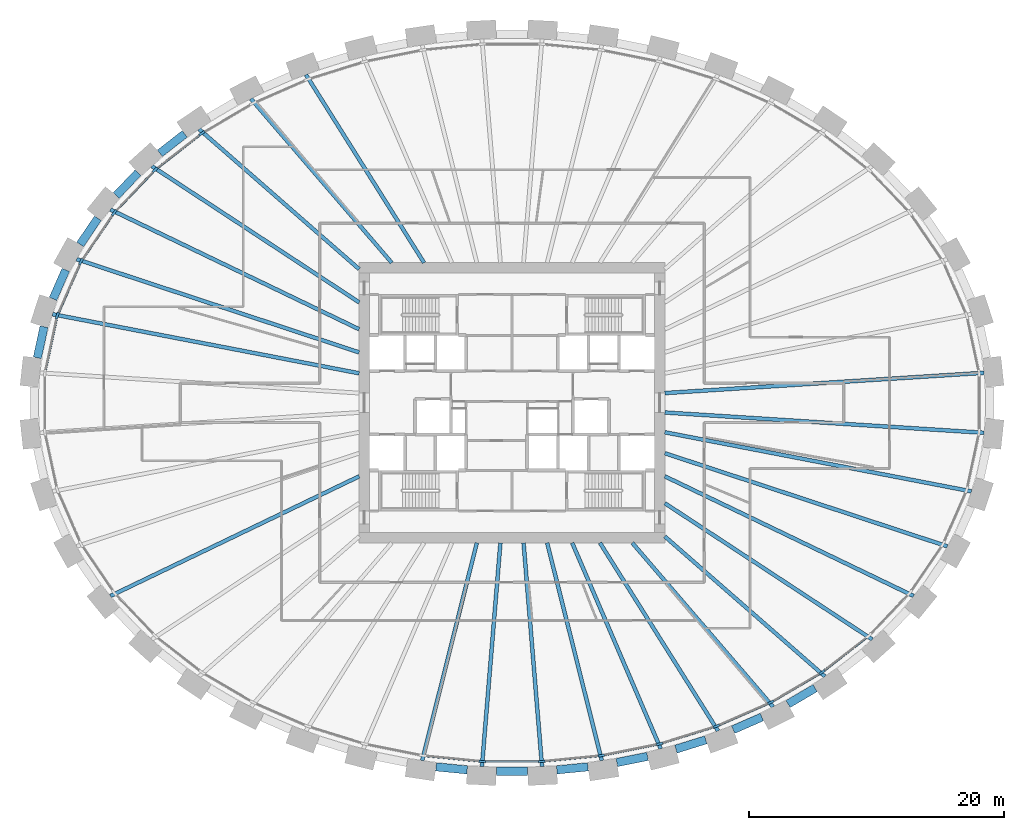
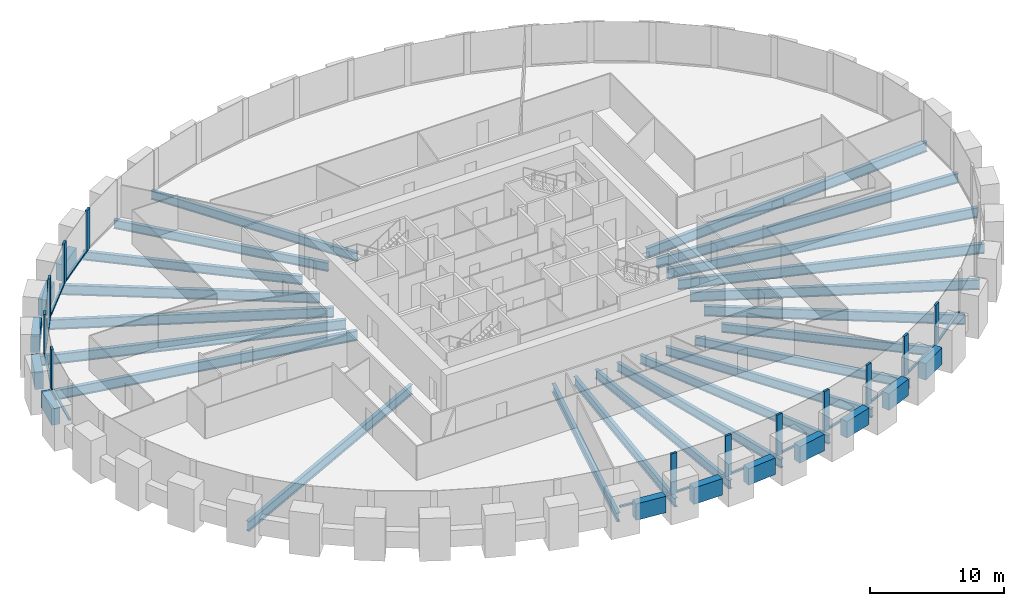
# One storey, part 2 of 10: 34 beams, 25 members, 1 element without a shape of its own.
"""IFC4 building model written with IfcOpenShell, lengths in metres."""

from ifc_helpers import new_model, si_unit, direction, frame, origin, origin_2d, place, context, subcontext, project, spatial, rectangle, i_section, extrude, source, transform, mapped, material, material_profile, profile_set, type_object, element, aggregate, save


model = new_model("IFC4")

# Units and contexts
model_context = context("Model", 3, precision=1e-05, world=origin(), true_north=direction((0.0, 1.0)))
body_context = subcontext(model_context, "Body", "Model", "MODEL_VIEW")
ifc_project = project(units=[si_unit("LENGTHUNIT", "METRE"), si_unit("AREAUNIT", "SQUARE_METRE"), si_unit("VOLUMEUNIT", "CUBIC_METRE"), si_unit("PLANEANGLEUNIT", "RADIAN"), si_unit("MASSUNIT", "GRAM", prefix="KILO")], contexts=[model_context])

# Site, building, storey
site_placement = place(None, origin())
site = spatial("IfcSite", under=ifc_project, at=site_placement, CompositionType="ELEMENT")
building_placement = place(site_placement, origin())
building = spatial("IfcBuilding", under=site, at=building_placement, Name="Embergate Tower", CompositionType="ELEMENT")
storey_placement = place(building_placement, frame((0.0, 0.0, 152.10009765625)))
storey = spatial("IfcBuildingStorey", under=building, at=storey_placement, Name="L33", CompositionType="ELEMENT", Elevation=152.10009765625)

# Beams
ifc_material_1 = material(Name="Concrete C70", Category="concrete")
ifc_material_profile_1 = material_profile(ifc_material_1, rectangle(XDim=0.64990234375, YDim=1.5, at=origin_2d()), Name="RC 650x1500")
ifc_profile_set_1 = profile_set([ifc_material_profile_1], Name="Concrete C70")
beam_type_1 = type_object("IfcBeamType", Name="Spandrel beam RC 650x1500 C70", PredefinedType="BEAM", material=ifc_profile_set_1)
shared_shape_1 = source(origin(), body_context, "Body", "SweptSolid", [
    extrude(rectangle(XDim=0.64990234375, YDim=1.5, at=origin_2d()), origin(), (0.0, 0.0, 1.0), 2.490966796875),
])
beam_1_placement = place(storey_placement, frame((-36.748046875, 5.968017578125, 0.0), z_axis=(-0.210720345789, -0.977546385534, 0.0), x_axis=(0.977546385534, -0.210720345789, 0.0)))
element("IfcBeam", 1, at=beam_1_placement, inside=storey, type_object=beam_type_1, Name="SPN-L33-20", PredefinedType="BEAM", context=body_context, shape_type="MappedRepresentation", body=[
    mapped(shared_shape_1, transform((0.0, 0.0, 0.0))),
])
shared_shape_2 = source(origin(), body_context, "Body", "SweptSolid", [
    extrude(rectangle(XDim=0.64990234375, YDim=1.5, at=origin_2d()), origin(), (0.0, 0.0, 1.0), 2.48828125),
])
beam_2_placement = place(storey_placement, frame((-35.0419921875, 10.43505859375, 0.0), z_axis=(-0.401472379967, -0.91587113074, 0.0), x_axis=(0.91587113074, -0.401472379967, 0.0)))
element("IfcBeam", 2, at=beam_2_placement, inside=storey, type_object=beam_type_1, Name="SPN-L33-19", PredefinedType="BEAM", context=body_context, shape_type="MappedRepresentation", body=[
    mapped(shared_shape_2, transform((0.0, 0.0, 0.0))),
])
shared_shape_3 = source(origin(), body_context, "Body", "SweptSolid", [
    extrude(rectangle(XDim=0.64990234375, YDim=1.5, at=origin_2d()), origin(), (0.0, 0.0, 1.0), 2.4775390625),
])
beam_3_placement = place(storey_placement, frame((-32.51806640625, 14.486083984375, 0.0), z_axis=(-0.562159078618, -0.827029123022, 0.0), x_axis=(0.827029123022, -0.562159078618, 0.0)))
element("IfcBeam", 3, at=beam_3_placement, inside=storey, type_object=beam_type_1, Name="SPN-L33-18", PredefinedType="BEAM", context=body_context, shape_type="MappedRepresentation", body=[
    mapped(shared_shape_3, transform((0.0, 0.0, 0.0))),
])
shared_shape_4 = source(origin(), body_context, "Body", "SweptSolid", [
    extrude(rectangle(XDim=0.64990234375, YDim=1.5, at=origin_2d()), origin(), (0.0, 0.0, 1.0), 2.473388671875),
])
beam_4_placement = place(storey_placement, frame((-29.364990234375, 18.06494140625, 0.0), z_axis=(-0.69012823406, -0.723687101276, 0.0), x_axis=(0.723687101276, -0.69012823406, 0.0)))
element("IfcBeam", 4, at=beam_4_placement, inside=storey, type_object=beam_type_1, Name="SPN-L33-17", PredefinedType="BEAM", context=body_context, shape_type="MappedRepresentation", body=[
    mapped(shared_shape_4, transform((0.0, 0.0, 0.0))),
])
shared_shape_5 = source(origin(), body_context, "Body", "SweptSolid", [
    extrude(rectangle(XDim=0.64990234375, YDim=1.5, at=origin_2d()), origin(), (0.0, 0.0, 1.0), 2.466552734375),
])
beam_5_placement = place(storey_placement, frame((-25.702880859375, 21.112060546875, 0.0), z_axis=(-0.788172909908, -0.615453868367, 0.0), x_axis=(0.615453868367, -0.788172909908, 0.0)))
element("IfcBeam", 5, at=beam_5_placement, inside=storey, type_object=beam_type_1, Name="SPN-L33-16", PredefinedType="BEAM", context=body_context, shape_type="MappedRepresentation", body=[
    mapped(shared_shape_5, transform((0.0, 0.0, 0.0))),
])
shared_shape_6 = source(origin(), body_context, "Body", "SweptSolid", [
    extrude(rectangle(XDim=0.64990234375, YDim=1.5, at=origin_2d()), origin(), (0.0, 0.0, 1.0), 2.46142578125),
])
beam_6_placement = place(storey_placement, frame((21.678955078125, -23.652099609375, 0.0), z_axis=(0.86214832468, 0.506655964389, 0.0), x_axis=(-0.506655964389, 0.86214832468, 0.0)))
element("IfcBeam", 6, at=beam_6_placement, inside=storey, type_object=beam_type_1, Name="SPN-L33-37", PredefinedType="BEAM", context=body_context, shape_type="MappedRepresentation", body=[
    mapped(shared_shape_6, transform((0.0, 0.0, 0.0))),
])
shared_shape_7 = source(origin(), body_context, "Body", "SweptSolid", [
    extrude(rectangle(XDim=0.64990234375, YDim=1.5, at=origin_2d()), origin(), (0.0, 0.0, 1.0), 2.456787109375),
])
beam_7_placement = place(storey_placement, frame((17.3701171875, -25.6640625, 0.0), z_axis=(0.916257660854, 0.40058943936, 0.0), x_axis=(-0.40058943936, 0.916257660854, 0.0)))
element("IfcBeam", 7, at=beam_7_placement, inside=storey, type_object=beam_type_1, Name="SPN-L33-36", PredefinedType="BEAM", context=body_context, shape_type="MappedRepresentation", body=[
    mapped(shared_shape_7, transform((0.0, 0.0, 0.0))),
])
shared_shape_8 = source(origin(), body_context, "Body", "SweptSolid", [
    extrude(rectangle(XDim=0.64990234375, YDim=1.5, at=origin_2d()), origin(), (0.0, 0.0, 1.0), 2.4541015625),
])
beam_8_placement = place(storey_placement, frame((12.8720703125, -27.197998046875, 0.0), z_axis=(0.954736297307, 0.29745353016, 0.0), x_axis=(-0.29745353016, 0.954736297307, 0.0)))
element("IfcBeam", 8, at=beam_8_placement, inside=storey, type_object=beam_type_1, Name="SPN-L33-35", PredefinedType="BEAM", context=body_context, shape_type="MappedRepresentation", body=[
    mapped(shared_shape_8, transform((0.0, 0.0, 0.0))),
])
shared_shape_9 = source(origin(), body_context, "Body", "SweptSolid", [
    extrude(rectangle(XDim=0.64990234375, YDim=1.5, at=origin_2d()), origin(), (0.0, 0.0, 1.0), 2.453125),
])
beam_9_placement = place(storey_placement, frame((8.238037109375, -28.2490234375, 0.0), z_axis=(0.980431102511, 0.196862523679, 0.0), x_axis=(-0.196862523679, 0.980431102511, 0.0)))
element("IfcBeam", 9, at=beam_9_placement, inside=storey, type_object=beam_type_1, Name="SPN-L33-34", PredefinedType="BEAM", context=body_context, shape_type="MappedRepresentation", body=[
    mapped(shared_shape_9, transform((0.0, 0.0, 0.0))),
])
shared_shape_10 = source(origin(), body_context, "Body", "SweptSolid", [
    extrude(rectangle(XDim=0.64990234375, YDim=1.5, at=origin_2d()), origin(), (0.0, 0.0, 1.0), 2.45166015625),
])
for number, where, z_axis, x_axis, name in (
    (10, (-5.962890625, -28.587890625, 0.0), (0.995197569904, -0.097886653113, 0.0), (0.097886653113, 0.995197569904, 0.0), "SPN-L33-31"),
    (11, (3.52294921875, -28.827880859375, 0.0), (0.995197569904, 0.097886653113, 0.0), (-0.097886653113, 0.995197569904, 0.0), "SPN-L33-33"),
):
    element("IfcBeam", number, at=place(storey_placement, frame(where, z_axis=z_axis, x_axis=x_axis)), inside=storey, type_object=beam_type_1, Name=name, PredefinedType="BEAM", context=body_context, shape_type="MappedRepresentation", body=[
        mapped(shared_shape_10, transform((0.0, 0.0, 0.0))),
    ])
shared_shape_11 = source(origin(), body_context, "Body", "SweptSolid", [
    extrude(rectangle(XDim=0.64990234375, YDim=1.5, at=origin_2d()), origin(), (0.0, 0.0, 1.0), 2.4521484375),
])
beam_10_placement = place(storey_placement, frame((-1.22607421875, -28.94091796875, 0.0), z_axis=(1.0, 0.0, 0.0), x_axis=(0.0, 1.0, 0.0)))
element("IfcBeam", 12, at=beam_10_placement, inside=storey, type_object=beam_type_1, Name="SPN-L33-32", PredefinedType="BEAM", context=body_context, shape_type="MappedRepresentation", body=[
    mapped(shared_shape_11, transform((0.0, 0.0, 0.0))),
])
ifc_material_2 = material(Name="Steel Q355B", Category="steel")
ifc_material_profile_2 = material_profile(ifc_material_2, i_section(OverallWidth=0.300048828125, OverallDepth=0.89990234375, WebThickness=0.01611328125, FlangeThickness=0.028076171875, FilletRadius=0.028076171875, at=origin_2d()), Name="HN 900x300x16x28")
ifc_profile_set_2 = profile_set([ifc_material_profile_2], Name="Steel Q355 grade B")
beam_type_2 = type_object("IfcBeamType", Name="Radial girder HN 900x300x16x28", PredefinedType="BEAM", material=ifc_profile_set_2)
shared_shape_12 = source(origin(), body_context, "Body", "SweptSolid", [
    extrude(i_section(OverallWidth=0.300048828125, OverallDepth=0.89990234375, WebThickness=0.01611328125, FlangeThickness=0.028076171875, FilletRadius=0.028076171875, at=origin_2d()), origin(), (0.0, 0.0, 1.0), 25.12158203125),
])
for number, where, z_axis, x_axis, name in (
    (13, (37.071044921875, 2.35498046875, -0.650146484375), (-0.9979874177, -0.063412255217, 0.0), (0.063412255217, -0.9979874177, 0.0), "GIR-L33-00"),
    (14, (37.071044921875, -2.35498046875, -0.650146484375), (-0.9979874177, 0.063412255217, 0.0), (-0.063412255217, -0.9979874177, 0.0), "GIR-L33-43"),
):
    element("IfcBeam", number, at=place(storey_placement, frame(where, z_axis=z_axis, x_axis=x_axis)), inside=storey, type_object=beam_type_2, Name=name, PredefinedType="BEAM", context=body_context, shape_type="MappedRepresentation", body=[
        mapped(shared_shape_12, transform((0.0, 0.0, 0.0))),
    ])
shared_shape_13 = source(origin(), body_context, "Body", "SweptSolid", [
    extrude(i_section(OverallWidth=0.300048828125, OverallDepth=0.89990234375, WebThickness=0.01611328125, FlangeThickness=0.028076171875, FilletRadius=0.028076171875, at=origin_2d()), origin(), (0.0, 0.0, 1.0), 24.52392578125),
])
for number, where, z_axis, x_axis, name in (
    (15, (-36.080078125, 6.958984375, -0.650146484375), (0.981906046022, -0.189368732333, 0.0), (0.189368732333, 0.981906046022, 0.0), "GIR-L33-20"),
    (16, (36.080078125, -6.958984375, -0.650146484375), (-0.981906046022, 0.189368732333, 0.0), (-0.189368732333, -0.981906046022, 0.0), "GIR-L33-42"),
):
    element("IfcBeam", number, at=place(storey_placement, frame(where, z_axis=z_axis, x_axis=x_axis)), inside=storey, type_object=beam_type_2, Name=name, PredefinedType="BEAM", context=body_context, shape_type="MappedRepresentation", body=[
        mapped(shared_shape_13, transform((0.0, 0.0, 0.0))),
    ])
shared_shape_14 = source(origin(), body_context, "Body", "SweptSolid", [
    extrude(i_section(OverallWidth=0.300048828125, OverallDepth=0.89990234375, WebThickness=0.01611328125, FlangeThickness=0.028076171875, FilletRadius=0.028076171875, at=origin_2d()), origin(), (0.0, 0.0, 1.0), 23.36328125),
])
for number, where, z_axis, x_axis, name in (
    (17, (-34.18798828125, 11.27490234375, -0.650146484375), (0.949694119995, -0.313178987877, 0.0), (0.313178987877, 0.949694119995, 0.0), "GIR-L33-19"),
    (18, (34.18798828125, -11.27490234375, -0.650146484375), (-0.949694119995, 0.313178987877, 0.0), (-0.313178987877, -0.949694119995, 0.0), "GIR-L33-41"),
):
    element("IfcBeam", number, at=place(storey_placement, frame(where, z_axis=z_axis, x_axis=x_axis)), inside=storey, type_object=beam_type_2, Name=name, PredefinedType="BEAM", context=body_context, shape_type="MappedRepresentation", body=[
        mapped(shared_shape_14, transform((0.0, 0.0, 0.0))),
    ])
shared_shape_15 = source(origin(), body_context, "Body", "SweptSolid", [
    extrude(i_section(OverallWidth=0.300048828125, OverallDepth=0.89990234375, WebThickness=0.01611328125, FlangeThickness=0.028076171875, FilletRadius=0.028076171875, at=origin_2d()), origin(), (0.0, 0.0, 1.0), 21.680419921875),
])
for number, where, z_axis, x_axis, name in (
    (19, (-31.537109375, 15.172119140625, -0.650146484375), (0.90113839793, -0.433531530315, 0.0), (0.433531530315, 0.90113839793, 0.0), "GIR-L33-18"),
    (20, (-31.537109375, -15.172119140625, -0.650146484375), (0.90113839793, 0.433531530315, 0.0), (-0.433531530315, 0.90113839793, 0.0), "GIR-L33-25"),
    (21, (31.537109375, -15.172119140625, -0.650146484375), (-0.90113839793, 0.433531530315, 0.0), (-0.433531530315, -0.90113839793, 0.0), "GIR-L33-40"),
):
    element("IfcBeam", number, at=place(storey_placement, frame(where, z_axis=z_axis, x_axis=x_axis)), inside=storey, type_object=beam_type_2, Name=name, PredefinedType="BEAM", context=body_context, shape_type="MappedRepresentation", body=[
        mapped(shared_shape_15, transform((0.0, 0.0, 0.0))),
    ])
shared_shape_16 = source(origin(), body_context, "Body", "SweptSolid", [
    extrude(i_section(OverallWidth=0.300048828125, OverallDepth=0.89990234375, WebThickness=0.01611328125, FlangeThickness=0.028076171875, FilletRadius=0.028076171875, at=origin_2d()), origin(), (0.0, 0.0, 1.0), 19.484130859375),
])
for number, where, z_axis, x_axis, name in (
    (22, (-28.283935546875, 18.5830078125, -0.650146484375), (0.835750168369, -0.549109876137, 0.0), (0.549109876137, 0.835750168369, 0.0), "GIR-L33-17"),
    (23, (28.283935546875, -18.5830078125, -0.650146484375), (-0.835750168369, 0.549109876137, 0.0), (-0.549109876137, -0.835750168369, 0.0), "GIR-L33-39"),
):
    element("IfcBeam", number, at=place(storey_placement, frame(where, z_axis=z_axis, x_axis=x_axis)), inside=storey, type_object=beam_type_2, Name=name, PredefinedType="BEAM", context=body_context, shape_type="MappedRepresentation", body=[
        mapped(shared_shape_16, transform((0.0, 0.0, 0.0))),
    ])
ifc_material_profile_3 = material_profile(ifc_material_2, i_section(OverallWidth=0.300048828125, OverallDepth=0.800048828125, WebThickness=0.013916015625, FlangeThickness=0.02587890625, FilletRadius=0.028076171875, at=origin_2d()), Name="HN 800x300x14x26")
ifc_profile_set_3 = profile_set([ifc_material_profile_3], Name="Steel Q355 grade B")
beam_type_3 = type_object("IfcBeamType", Name="Radial girder HN 800x300x14x26", PredefinedType="BEAM", material=ifc_profile_set_3)
shared_shape_17 = source(origin(), body_context, "Body", "SweptSolid", [
    extrude(i_section(OverallWidth=0.300048828125, OverallDepth=0.800048828125, WebThickness=0.013916015625, FlangeThickness=0.02587890625, FilletRadius=0.028076171875, at=origin_2d()), origin(), (0.0, 0.0, 1.0), 16.6953125),
])
for number, where, z_axis, x_axis, name in (
    (24, (-24.56689453125, 21.485107421875, -0.60009765625), (0.752719804108, -0.658341018397, 0.0), (0.658341018397, 0.752719804108, 0.0), "GIR-L33-16"),
    (25, (24.56689453125, -21.485107421875, -0.60009765625), (-0.752719804108, 0.658341018397, 0.0), (-0.658341018397, -0.752719804108, 0.0), "GIR-L33-38"),
):
    element("IfcBeam", number, at=place(storey_placement, frame(where, z_axis=z_axis, x_axis=x_axis)), inside=storey, type_object=beam_type_3, Name=name, PredefinedType="BEAM", context=body_context, shape_type="MappedRepresentation", body=[
        mapped(shared_shape_17, transform((0.0, 0.0, 0.0))),
    ])
shared_shape_18 = source(origin(), body_context, "Body", "SweptSolid", [
    extrude(i_section(OverallWidth=0.300048828125, OverallDepth=0.800048828125, WebThickness=0.013916015625, FlangeThickness=0.02587890625, FilletRadius=0.028076171875, at=origin_2d()), origin(), (0.0, 0.0, 1.0), 16.970458984375),
])
for number, where, z_axis, x_axis, name in (
    (26, (-20.501953125, 23.875, -0.60009765625), (0.651477073616, -0.758668321833, 0.0), (0.758668321833, 0.651477073616, 0.0), "GIR-L33-15"),
    (27, (20.501953125, -23.875, -0.60009765625), (-0.651477073616, 0.758668321833, 0.0), (-0.758668321833, -0.651477073616, 0.0), "GIR-L33-37"),
):
    element("IfcBeam", number, at=place(storey_placement, frame(where, z_axis=z_axis, x_axis=x_axis)), inside=storey, type_object=beam_type_3, Name=name, PredefinedType="BEAM", context=body_context, shape_type="MappedRepresentation", body=[
        mapped(shared_shape_18, transform((0.0, 0.0, 0.0))),
    ])
shared_shape_19 = source(origin(), body_context, "Body", "SweptSolid", [
    extrude(i_section(OverallWidth=0.300048828125, OverallDepth=0.800048828125, WebThickness=0.013916015625, FlangeThickness=0.02587890625, FilletRadius=0.028076171875, at=origin_2d()), origin(), (0.0, 0.0, 1.0), 17.433837890625),
])
for number, where, z_axis, x_axis, name in (
    (28, (-16.179931640625, 25.763916015625, -0.60009765625), (0.531834233156, -0.846848480216, 0.0), (0.846848480216, 0.531834233156, 0.0), "GIR-L33-14"),
    (29, (16.179931640625, -25.763916015625, -0.60009765625), (-0.531834233156, 0.846848480216, 0.0), (-0.846848480216, -0.531834233156, 0.0), "GIR-L33-36"),
):
    element("IfcBeam", number, at=place(storey_placement, frame(where, z_axis=z_axis, x_axis=x_axis)), inside=storey, type_object=beam_type_3, Name=name, PredefinedType="BEAM", context=body_context, shape_type="MappedRepresentation", body=[
        mapped(shared_shape_19, transform((0.0, 0.0, 0.0))),
    ])
shared_shape_20 = source(origin(), body_context, "Body", "SweptSolid", [
    extrude(i_section(OverallWidth=0.300048828125, OverallDepth=0.800048828125, WebThickness=0.013916015625, FlangeThickness=0.02587890625, FilletRadius=0.028076171875, at=origin_2d()), origin(), (0.0, 0.0, 1.0), 17.59619140625),
])
beam_11_placement = place(storey_placement, frame((11.677001953125, -27.166015625, -0.60009765625), z_axis=(-0.394912057755, 0.918718926898, 0.0), x_axis=(-0.918718926898, -0.394912057755, 0.0)))
element("IfcBeam", 30, at=beam_11_placement, inside=storey, type_object=beam_type_3, Name="GIR-L33-35", PredefinedType="BEAM", context=body_context, shape_type="MappedRepresentation", body=[
    mapped(shared_shape_20, transform((0.0, 0.0, 0.0))),
])
shared_shape_21 = source(origin(), body_context, "Body", "SweptSolid", [
    extrude(i_section(OverallWidth=0.300048828125, OverallDepth=0.800048828125, WebThickness=0.013916015625, FlangeThickness=0.02587890625, FilletRadius=0.028076171875, at=origin_2d()), origin(), (0.0, 0.0, 1.0), 17.624267578125),
])
for number, where, z_axis, x_axis, name in (
    (31, (-7.052001953125, -28.093994140625, -0.60009765625), (0.24347096124, 0.969908186909, 0.0), (-0.969908186909, 0.24347096124, 0.0), "GIR-L33-31"),
    (32, (7.052001953125, -28.093994140625, -0.60009765625), (-0.24347096124, 0.969908186909, 0.0), (-0.969908186909, -0.24347096124, 0.0), "GIR-L33-34"),
):
    element("IfcBeam", number, at=place(storey_placement, frame(where, z_axis=z_axis, x_axis=x_axis)), inside=storey, type_object=beam_type_3, Name=name, PredefinedType="BEAM", context=body_context, shape_type="MappedRepresentation", body=[
        mapped(shared_shape_21, transform((0.0, 0.0, 0.0))),
    ])
shared_shape_22 = source(origin(), body_context, "Body", "SweptSolid", [
    extrude(i_section(OverallWidth=0.300048828125, OverallDepth=0.800048828125, WebThickness=0.013916015625, FlangeThickness=0.02587890625, FilletRadius=0.028076171875, at=origin_2d()), origin(), (0.0, 0.0, 1.0), 17.61572265625),
])
for number, where, z_axis, x_axis, name in (
    (33, (-2.35888671875, -28.555908203125, -0.60009765625), (0.0823102465, 0.996606754603, 0.0), (-0.996606754603, 0.0823102465, 0.0), "GIR-L33-32"),
    (34, (2.35888671875, -28.555908203125, -0.60009765625), (-0.0823102465, 0.996606754603, 0.0), (-0.996606754603, -0.0823102465, 0.0), "GIR-L33-33"),
):
    element("IfcBeam", number, at=place(storey_placement, frame(where, z_axis=z_axis, x_axis=x_axis)), inside=storey, type_object=beam_type_3, Name=name, PredefinedType="BEAM", context=body_context, shape_type="MappedRepresentation", body=[
        mapped(shared_shape_22, transform((0.0, 0.0, 0.0))),
    ])

# Curtain wall, members
ifc_material_3 = material(Name="Aluminium and glass", Category="aluminium")
curtain_wall_type = type_object("IfcCurtainWallType", Name="Recessed office glazing", PredefinedType="NOTDEFINED", material=ifc_material_3)
curtain_wall_placement = place(storey_placement, origin())
curtain_wall = element("IfcCurtainWall", 35, at=curtain_wall_placement, inside=storey, type_object=curtain_wall_type, Name="Recessed office glazing ring", ObjectType="RECESSED OFFICE GLAZING", PredefinedType="USERDEFINED")
ifc_material_4 = material(Name="Aluminium, thermally broken", Category="aluminium")
ifc_material_profile_4 = material_profile(ifc_material_4, rectangle(XDim=0.179931640625, YDim=0.52001953125, at=origin_2d()), Name="AL 520x180")
ifc_profile_set_4 = profile_set([ifc_material_profile_4], Name="Aluminium, thermally broken")
member_type_1 = type_object("IfcMemberType", Name="Office mullion", PredefinedType="MULLION", material=ifc_profile_set_4)
shared_shape_23 = source(origin(), body_context, "Body", "SweptSolid", [
    extrude(rectangle(XDim=0.179931640625, YDim=0.52001953125, at=origin_2d()), origin(), (0.0, 0.0, 1.0), 3.699951171875),
])
member_1_placement = place(storey_placement, frame((-24.3486328125, 21.161376953125, 0.0), z_axis=(0.0, 0.0, 1.0), x_axis=(0.562217618544, -0.826989328467, 0.0)))
member_1 = element("IfcMember", 36, at=member_1_placement, type_object=member_type_1, Name="CW mullion 17", PredefinedType="MULLION", context=body_context, shape_type="MappedRepresentation", body=[
    mapped(shared_shape_23, transform((0.0, 0.0, 0.0))),
])
member_2_placement = place(storey_placement, frame((-28.023193359375, 18.29345703125, 0.0), z_axis=(0.0, 0.0, 1.0), x_axis=(0.671226533956, -0.741252278319, 0.0)))
member_2 = element("IfcMember", 37, at=member_2_placement, type_object=member_type_1, Name="CW mullion 18", PredefinedType="MULLION", context=body_context, shape_type="MappedRepresentation", body=[
    mapped(shared_shape_23, transform((0.0, 0.0, 0.0))),
])
member_3_placement = place(storey_placement, frame((-31.23486328125, 14.92578125, 0.0), z_axis=(0.0, 0.0, 1.0), x_axis=(0.777872564355, -0.628422050555, 0.0)))
member_3 = element("IfcMember", 38, at=member_3_placement, type_object=member_type_1, Name="CW mullion 19", PredefinedType="MULLION", context=body_context, shape_type="MappedRepresentation", body=[
    mapped(shared_shape_23, transform((0.0, 0.0, 0.0))),
])
member_4_placement = place(storey_placement, frame((-33.846923828125, 11.084716796875, 0.0), z_axis=(0.0, 0.0, 1.0), x_axis=(0.875001895832, -0.484119491748, 0.0)))
member_4 = element("IfcMember", 39, at=member_4_placement, type_object=member_type_1, Name="CW mullion 20", PredefinedType="MULLION", context=body_context, shape_type="MappedRepresentation", body=[
    mapped(shared_shape_23, transform((0.0, 0.0, 0.0))),
])
member_5_placement = place(storey_placement, frame((-35.708984375, 6.8388671875, 0.0), z_axis=(0.0, 0.0, 1.0), x_axis=(0.951498334951, -0.307653894149, 0.0)))
member_5 = element("IfcMember", 40, at=member_5_placement, type_object=member_type_1, Name="CW mullion 21", PredefinedType="MULLION", context=body_context, shape_type="MappedRepresentation", body=[
    mapped(shared_shape_23, transform((0.0, 0.0, 0.0))),
])
member_6_placement = place(storey_placement, frame((-2.33935546875, -28.166015625, 0.0), z_axis=(0.0, 0.0, 1.0), x_axis=(0.048971796621, 0.998800161762, 0.0)))
member_6 = element("IfcMember", 41, at=member_6_placement, type_object=member_type_1, Name="CW mullion 33", PredefinedType="MULLION", context=body_context, shape_type="MappedRepresentation", body=[
    mapped(shared_shape_23, transform((0.0, 0.0, 0.0))),
])
member_7_placement = place(storey_placement, frame((2.33935546875, -28.166015625, 0.0), z_axis=(0.0, 0.0, 1.0), x_axis=(-0.048971796621, 0.998800161762, 0.0)))
member_7 = element("IfcMember", 42, at=member_7_placement, type_object=member_type_1, Name="CW mullion 34", PredefinedType="MULLION", context=body_context, shape_type="MappedRepresentation", body=[
    mapped(shared_shape_23, transform((0.0, 0.0, 0.0))),
])
member_8_placement = place(storey_placement, frame((6.99560546875, -27.708251953125, 0.0), z_axis=(0.0, 0.0, 1.0), x_axis=(-0.147412382818, 0.989075118174, 0.0)))
member_8 = element("IfcMember", 43, at=member_8_placement, type_object=member_type_1, Name="CW mullion 35", PredefinedType="MULLION", context=body_context, shape_type="MappedRepresentation", body=[
    mapped(shared_shape_23, transform((0.0, 0.0, 0.0))),
])
member_9_placement = place(storey_placement, frame((11.581298828125, -26.78857421875, 0.0), z_axis=(0.0, 0.0, 1.0), x_axis=(-0.24731188137, 0.968935928394, 0.0)))
member_9 = element("IfcMember", 44, at=member_9_placement, type_object=member_type_1, Name="CW mullion 36", PredefinedType="MULLION", context=body_context, shape_type="MappedRepresentation", body=[
    mapped(shared_shape_23, transform((0.0, 0.0, 0.0))),
])
member_10_placement = place(storey_placement, frame((16.044921875, -25.3984375, 0.0), z_axis=(0.0, 0.0, 1.0), x_axis=(-0.349502682851, 0.936935363128, 0.0)))
member_10 = element("IfcMember", 45, at=member_10_placement, type_object=member_type_1, Name="CW mullion 37", PredefinedType="MULLION", context=body_context, shape_type="MappedRepresentation", body=[
    mapped(shared_shape_23, transform((0.0, 0.0, 0.0))),
])
member_11_placement = place(storey_placement, frame((20.3251953125, -23.52685546875, 0.0), z_axis=(0.0, 0.0, 1.0), x_axis=(-0.454511380526, 0.890740930334, 0.0)))
member_11 = element("IfcMember", 46, at=member_11_placement, type_object=member_type_1, Name="CW mullion 38", PredefinedType="MULLION", context=body_context, shape_type="MappedRepresentation", body=[
    mapped(shared_shape_23, transform((0.0, 0.0, 0.0))),
])
member_12_placement = place(storey_placement, frame((24.3486328125, -21.161376953125, 0.0), z_axis=(0.0, 0.0, 1.0), x_axis=(-0.562217618544, 0.826989328467, 0.0)))
member_12 = element("IfcMember", 47, at=member_12_placement, type_object=member_type_1, Name="CW mullion 39", PredefinedType="MULLION", context=body_context, shape_type="MappedRepresentation", body=[
    mapped(shared_shape_23, transform((0.0, 0.0, 0.0))),
])
ifc_material_profile_5 = material_profile(ifc_material_4, rectangle(XDim=0.179931640625, YDim=0.14990234375, at=origin_2d()), Name="AL 150x180")
ifc_profile_set_5 = profile_set([ifc_material_profile_5], Name="Aluminium, thermally broken")
member_type_2 = type_object("IfcMemberType", Name="Office sill transom", PredefinedType="USERDEFINED", material=ifc_profile_set_5)
shared_shape_24 = source(origin(), body_context, "Body", "SweptSolid", [
    extrude(rectangle(XDim=0.179931640625, YDim=0.14990234375, at=origin_2d()), origin(), (0.0, 0.0, 1.0), 4.109375),
])
member_13_placement = place(storey_placement, frame((-35.763916015625, 6.584716796875, 0.074951171875), z_axis=(-0.210377003976, -0.97762033336, 0.0), x_axis=(0.97762033336, -0.210377003976, 0.0)))
member_13 = element("IfcMember", 48, at=member_13_placement, type_object=member_type_2, Name="CW transom 21.1", ObjectType="TRANSOM", PredefinedType="USERDEFINED", context=body_context, shape_type="MappedRepresentation", body=[
    mapped(shared_shape_24, transform((0.0, 0.0, 0.0))),
])
shared_shape_25 = source(origin(), body_context, "Body", "SweptSolid", [
    extrude(rectangle(XDim=0.179931640625, YDim=0.14990234375, at=origin_2d()), origin(), (0.0, 0.0, 1.0), 4.1162109375),
])
member_14_placement = place(storey_placement, frame((-33.951416015625, 10.8466796875, 0.074951171875), z_axis=(-0.401593425876, -0.915818060694, 0.0), x_axis=(0.915818060694, -0.401593425876, 0.0)))
member_14 = element("IfcMember", 49, at=member_14_placement, type_object=member_type_2, Name="CW transom 20.1", ObjectType="TRANSOM", PredefinedType="USERDEFINED", context=body_context, shape_type="MappedRepresentation", body=[
    mapped(shared_shape_25, transform((0.0, 0.0, 0.0))),
])
shared_shape_26 = source(origin(), body_context, "Body", "SweptSolid", [
    extrude(rectangle(XDim=0.179931640625, YDim=0.14990234375, at=origin_2d()), origin(), (0.0, 0.0, 1.0), 4.124755859375),
])
member_15_placement = place(storey_placement, frame((-31.381103515625, 14.710693359375, 0.074951171875), z_axis=(-0.562339161446, -0.826906686092, 0.0), x_axis=(0.826906686092, -0.562339161446, 0.0)))
member_15 = element("IfcMember", 50, at=member_15_placement, type_object=member_type_2, Name="CW transom 19.1", ObjectType="TRANSOM", PredefinedType="USERDEFINED", context=body_context, shape_type="MappedRepresentation", body=[
    mapped(shared_shape_26, transform((0.0, 0.0, 0.0))),
])
shared_shape_27 = source(origin(), body_context, "Body", "SweptSolid", [
    extrude(rectangle(XDim=0.179931640625, YDim=0.14990234375, at=origin_2d()), origin(), (0.0, 0.0, 1.0), 4.133544921875),
])
member_16_placement = place(storey_placement, frame((-28.20263671875, 18.105224609375, 0.074951171875), z_axis=(-0.690134325915, -0.723681291864, 0.0), x_axis=(0.723681291864, -0.690134325915, 0.0)))
member_16 = element("IfcMember", 51, at=member_16_placement, type_object=member_type_2, Name="CW transom 18.1", ObjectType="TRANSOM", PredefinedType="USERDEFINED", context=body_context, shape_type="MappedRepresentation", body=[
    mapped(shared_shape_27, transform((0.0, 0.0, 0.0))),
])
shared_shape_28 = source(origin(), body_context, "Body", "SweptSolid", [
    extrude(rectangle(XDim=0.179931640625, YDim=0.14990234375, at=origin_2d()), origin(), (0.0, 0.0, 1.0), 4.14111328125),
])
member_17_placement = place(storey_placement, frame((-24.5537109375, 21.00146484375, 0.074951171875), z_axis=(-0.788312993649, -0.615274429864, 0.0), x_axis=(0.615274429864, -0.788312993649, 0.0)))
member_17 = element("IfcMember", 52, at=member_17_placement, type_object=member_type_2, Name="CW transom 17.1", ObjectType="TRANSOM", PredefinedType="USERDEFINED", context=body_context, shape_type="MappedRepresentation", body=[
    mapped(shared_shape_28, transform((0.0, 0.0, 0.0))),
])
member_18_placement = place(storey_placement, frame((24.5537109375, -21.00146484375, 0.074951171875), z_axis=(0.788312993649, 0.615274429864, 0.0), x_axis=(-0.615274429864, 0.788312993649, 0.0)))
member_18 = element("IfcMember", 53, at=member_18_placement, type_object=member_type_2, Name="CW transom 39.1", ObjectType="TRANSOM", PredefinedType="USERDEFINED", context=body_context, shape_type="MappedRepresentation", body=[
    mapped(shared_shape_28, transform((0.0, 0.0, 0.0))),
])
shared_shape_29 = source(origin(), body_context, "Body", "SweptSolid", [
    extrude(rectangle(XDim=0.179931640625, YDim=0.14990234375, at=origin_2d()), origin(), (0.0, 0.0, 1.0), 4.147216796875),
])
member_19_placement = place(storey_placement, frame((20.54931640625, -23.39501953125, 0.074951171875), z_axis=(0.862065845043, 0.506796289263, 0.0), x_axis=(-0.506796289263, 0.862065845043, 0.0)))
member_19 = element("IfcMember", 54, at=member_19_placement, type_object=member_type_2, Name="CW transom 38.1", ObjectType="TRANSOM", PredefinedType="USERDEFINED", context=body_context, shape_type="MappedRepresentation", body=[
    mapped(shared_shape_29, transform((0.0, 0.0, 0.0))),
])
shared_shape_30 = source(origin(), body_context, "Body", "SweptSolid", [
    extrude(rectangle(XDim=0.179931640625, YDim=0.14990234375, at=origin_2d()), origin(), (0.0, 0.0, 1.0), 4.151611328125),
])
member_20_placement = place(storey_placement, frame((16.283203125, -25.294189453125, 0.074951171875), z_axis=(0.916236944251, 0.400636820562, 0.0), x_axis=(-0.400636820562, 0.916236944251, 0.0)))
member_20 = element("IfcMember", 55, at=member_20_placement, type_object=member_type_2, Name="CW transom 37.1", ObjectType="TRANSOM", PredefinedType="USERDEFINED", context=body_context, shape_type="MappedRepresentation", body=[
    mapped(shared_shape_30, transform((0.0, 0.0, 0.0))),
])
shared_shape_31 = source(origin(), body_context, "Body", "SweptSolid", [
    extrude(rectangle(XDim=0.179931640625, YDim=0.14990234375, at=origin_2d()), origin(), (0.0, 0.0, 1.0), 4.155029296875),
])
member_21_placement = place(storey_placement, frame((11.82958984375, -26.711181640625, 0.074951171875), z_axis=(0.95476079815, 0.29737487842, 0.0), x_axis=(-0.29737487842, 0.95476079815, 0.0)))
member_21 = element("IfcMember", 56, at=member_21_placement, type_object=member_type_2, Name="CW transom 36.1", ObjectType="TRANSOM", PredefinedType="USERDEFINED", context=body_context, shape_type="MappedRepresentation", body=[
    mapped(shared_shape_31, transform((0.0, 0.0, 0.0))),
])
shared_shape_32 = source(origin(), body_context, "Body", "SweptSolid", [
    extrude(rectangle(XDim=0.179931640625, YDim=0.14990234375, at=origin_2d()), origin(), (0.0, 0.0, 1.0), 4.156982421875),
])
member_22_placement = place(storey_placement, frame((7.25048828125, -27.656982421875, 0.074951171875), z_axis=(0.98047889782, 0.196624339617, 0.0), x_axis=(-0.196624339617, 0.98047889782, 0.0)))
member_22 = element("IfcMember", 57, at=member_22_placement, type_object=member_type_2, Name="CW transom 35.1", ObjectType="TRANSOM", PredefinedType="USERDEFINED", context=body_context, shape_type="MappedRepresentation", body=[
    mapped(shared_shape_32, transform((0.0, 0.0, 0.0))),
])
shared_shape_33 = source(origin(), body_context, "Body", "SweptSolid", [
    extrude(rectangle(XDim=0.179931640625, YDim=0.14990234375, at=origin_2d()), origin(), (0.0, 0.0, 1.0), 4.15869140625),
])
member_23_placement = place(storey_placement, frame((-6.73681640625, -27.733642578125, 0.074951171875), z_axis=(0.995205470566, -0.097806295066, 0.0), x_axis=(0.097806295066, 0.995205470566, 0.0)))
member_23 = element("IfcMember", 58, at=member_23_placement, type_object=member_type_2, Name="CW transom 32.1", ObjectType="TRANSOM", PredefinedType="USERDEFINED", context=body_context, shape_type="MappedRepresentation", body=[
    mapped(shared_shape_33, transform((0.0, 0.0, 0.0))),
])
member_24_placement = place(storey_placement, frame((-2.079345703125, -28.166015625, 0.074951171875), z_axis=(1.0, 0.0, 0.0), x_axis=(0.0, 1.0, 0.0)))
member_24 = element("IfcMember", 59, at=member_24_placement, type_object=member_type_2, Name="CW transom 33.1", ObjectType="TRANSOM", PredefinedType="USERDEFINED", context=body_context, shape_type="MappedRepresentation", body=[
    mapped(shared_shape_33, transform((0.0, 0.0, 0.0))),
])
member_25_placement = place(storey_placement, frame((2.59814453125, -28.140380859375, 0.074951171875), z_axis=(0.995205470566, 0.097806295066, 0.0), x_axis=(-0.097806295066, 0.995205470566, 0.0)))
member_25 = element("IfcMember", 60, at=member_25_placement, type_object=member_type_2, Name="CW transom 34.1", ObjectType="TRANSOM", PredefinedType="USERDEFINED", context=body_context, shape_type="MappedRepresentation", body=[
    mapped(shared_shape_33, transform((0.0, 0.0, 0.0))),
])
aggregate(curtain_wall, [member_1, member_2, member_3, member_4, member_5, member_6, member_7, member_8, member_9, member_10, member_11, member_12, member_17, member_16, member_15, member_14, member_13, member_23, member_24, member_25, member_22, member_21, member_20, member_19, member_18])

save(model, "model.ifc")
